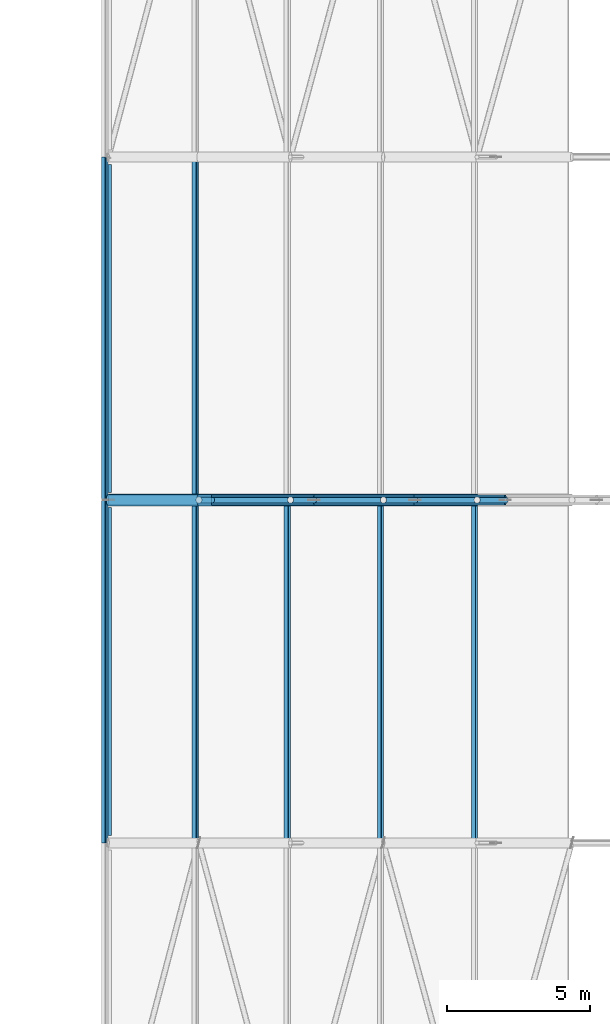
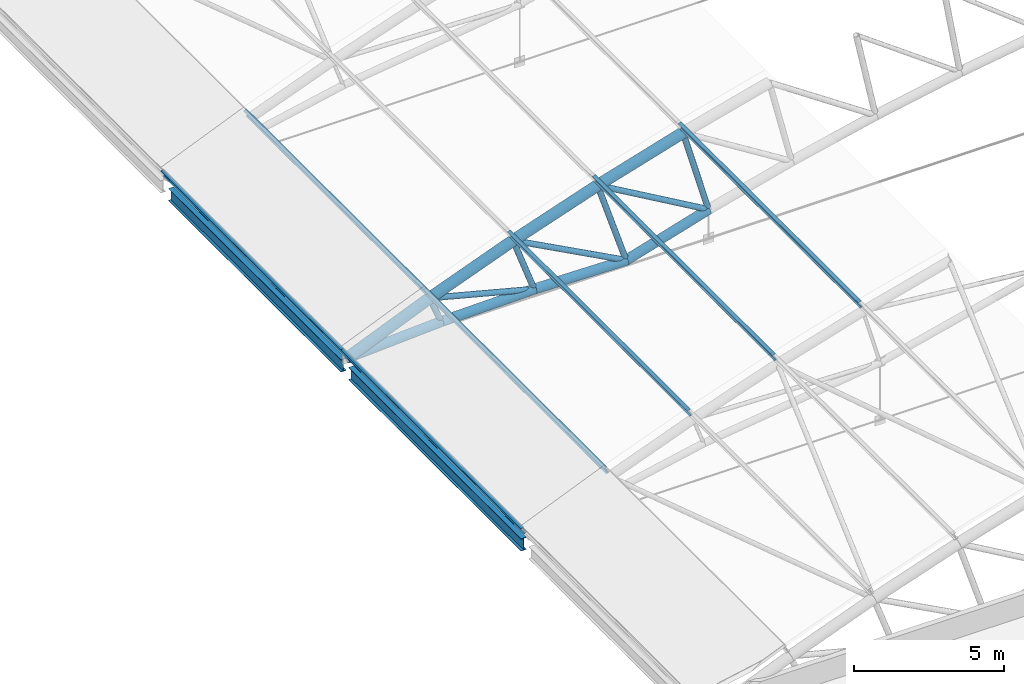
# One storey, part 26 of 321: 22 members, 2 beams.
"""IFC4 building model written with IfcOpenShell, lengths in metres."""

from ifc_helpers import new_model, si_unit, direction, frame, origin, origin_2d, place, context, subcontext, project, spatial, hollow_circle, i_section, extrude, material, material_profile, profile_set, type_object, element, save


model = new_model("IFC4")

# Units and contexts
model_context = context("Model", 3, precision=1e-05, world=origin(), true_north=direction((0.0, 1.0)))
body_context = subcontext(model_context, "Body", "Model", "MODEL_VIEW")
ifc_project = project(units=[si_unit("LENGTHUNIT", "METRE"), si_unit("AREAUNIT", "SQUARE_METRE"), si_unit("VOLUMEUNIT", "CUBIC_METRE"), si_unit("PLANEANGLEUNIT", "RADIAN"), si_unit("MASSUNIT", "GRAM", prefix="KILO")], contexts=[model_context])

# Site, building, storey
site_placement = place(None, origin())
site = spatial("IfcSite", under=ifc_project, at=site_placement, CompositionType="ELEMENT")
building_placement = place(site_placement, origin())
building = spatial("IfcBuilding", under=site, at=building_placement, Name="Ravi Spectrum Wholesale Market", CompositionType="ELEMENT")
storey_placement = place(building_placement, frame((0.0, 0.0, 10.800048828125)))
storey = spatial("IfcBuildingStorey", under=building, at=storey_placement, Name="L02", CompositionType="ELEMENT", Elevation=10.800048828125)

# Members
ifc_material_1 = material(Name="Steel S355", Category="steel")
ifc_material_profile_1 = material_profile(ifc_material_1, hollow_circle(Radius=0.109619140625, WallThickness=0.008056640625, at=origin_2d()))
ifc_profile_set_1 = profile_set([ifc_material_profile_1], Name="Steel S355")
member_type_1 = type_object("IfcMemberType", Name="CHS 219.1x8 brace", PredefinedType="BRACE", material=ifc_profile_set_1)
member_1_placement = place(storey_placement, frame((33.163818359375, 54.0, 1.325439453125), z_axis=(0.967942387937, 0.0, -0.251172318609), x_axis=(0.0, 1.0, 0.0)))
element("IfcMember", 1, at=member_1_placement, inside=storey, type_object=member_type_1, Name="H1-MB-L02-234", PredefinedType="BRACE", context=body_context, shape_type="SweptSolid", body=[
    extrude(hollow_circle(Radius=0.109619140625, WallThickness=0.008056640625, at=origin_2d()), origin(), (0.0, 0.0, 1.0), 4.15234375),
])
for number, where, z_axis, x_axis, name in (
    (2, (36.37158203125, 54.0, 2.541015625), (0.881933088563, 0.0, -0.471374614608), (0.0, 1.0, 0.0), "H1-MB-L02-235"),
    (3, (39.619384765625, 54.0, 3.645263671875), (0.865160555252, 0.0, -0.501494978675), (0.0, 1.0, 0.0), "H1-MB-L02-236"),
):
    element("IfcMember", number, at=place(storey_placement, frame(where, z_axis=z_axis, x_axis=x_axis)), inside=storey, type_object=member_type_1, Name=name, PredefinedType="BRACE", context=body_context, shape_type="SweptSolid", body=[
        extrude(hollow_circle(Radius=0.109619140625, WallThickness=0.008056640625, at=origin_2d()), origin(), (0.0, 0.0, 1.0), 4.9296875),
    ])
ifc_material_2 = material(Name="Steel S355", Category="steel")
ifc_material_profile_2 = material_profile(ifc_material_2, hollow_circle(Radius=0.109619140625, WallThickness=0.008056640625, at=origin_2d()))
ifc_profile_set_2 = profile_set([ifc_material_profile_2], Name="Steel S355")
member_type_2 = type_object("IfcMemberType", Name="CHS 219.1x8 post", PredefinedType="POST", material=ifc_profile_set_2)
member_2_placement = place(storey_placement, frame((33.163818359375, 54.0, 1.325439453125), z_axis=(0.370513497528, 0.0, -0.928827081942), x_axis=(0.0, 1.0, 0.0)))
element("IfcMember", 4, at=member_2_placement, inside=storey, type_object=member_type_2, Name="H1-MB-L02-211", PredefinedType="POST", context=body_context, shape_type="SweptSolid", body=[
    extrude(hollow_circle(Radius=0.109619140625, WallThickness=0.008056640625, at=origin_2d()), origin(), (0.0, 0.0, 1.0), 1.199951171875),
])
member_3_placement = place(storey_placement, frame((36.37158203125, 54.0, 2.541015625), z_axis=(0.338146640483, 0.0, -0.941093432944), x_axis=(0.0, 1.0, 0.0)))
element("IfcMember", 5, at=member_3_placement, inside=storey, type_object=member_type_2, Name="H1-MB-L02-212", PredefinedType="POST", context=body_context, shape_type="SweptSolid", body=[
    extrude(hollow_circle(Radius=0.109619140625, WallThickness=0.008056640625, at=origin_2d()), origin(), (0.0, 0.0, 1.0), 2.39990234375),
])
member_4_placement = place(storey_placement, frame((39.619384765625, 54.0, 3.645263671875), z_axis=(0.305506444581, 0.0, -0.952190008517), x_axis=(0.0, 1.0, 0.0)))
element("IfcMember", 6, at=member_4_placement, inside=storey, type_object=member_type_2, Name="H1-MB-L02-213", PredefinedType="POST", context=body_context, shape_type="SweptSolid", body=[
    extrude(hollow_circle(Radius=0.109619140625, WallThickness=0.008056640625, at=origin_2d()), origin(), (0.0, 0.0, 1.0), 3.60009765625),
])
member_5_placement = place(storey_placement, frame((42.903076171875, 54.0, 4.63671875), z_axis=(0.272561766134, 0.0, -0.962138287172), x_axis=(0.0, 1.0, 0.0)))
element("IfcMember", 7, at=member_5_placement, inside=storey, type_object=member_type_2, Name="H1-MB-L02-214", PredefinedType="POST", context=body_context, shape_type="SweptSolid", body=[
    extrude(hollow_circle(Radius=0.109619140625, WallThickness=0.008056640625, at=origin_2d()), origin(), (0.0, 0.0, 1.0), 3.599853515625),
])
ifc_material_3 = material(Name="Steel S355", Category="steel")
ifc_material_profile_3 = material_profile(ifc_material_3, hollow_circle(Radius=0.177734375, WallThickness=0.012451171875, at=origin_2d()))
ifc_profile_set_3 = profile_set([ifc_material_profile_3], Name="Steel S355")
member_type_3 = type_object("IfcMemberType", Name="CHS 355.6x12.5 chord", PredefinedType="CHORD", material=ifc_profile_set_3)
member_6_placement = place(storey_placement, frame((30.0, 54.0, 0.0), z_axis=(0.998295734367, 0.0, 0.058357747936), x_axis=(0.0, 1.0, 0.0)))
element("IfcMember", 8, at=member_6_placement, inside=storey, type_object=member_type_3, Name="H1-MB-L02-187", PredefinedType="CHORD", context=body_context, shape_type="SweptSolid", body=[
    extrude(hollow_circle(Radius=0.177734375, WallThickness=0.012451171875, at=origin_2d()), origin(), (0.0, 0.0, 1.0), 3.614501953125),
])
member_7_placement = place(storey_placement, frame((33.6083984375, 54.0, 0.2109375), z_axis=(0.999799841502, 0.0, 0.020006922112), x_axis=(0.0, 1.0, 0.0)))
element("IfcMember", 9, at=member_7_placement, inside=storey, type_object=member_type_3, Name="H1-MB-L02-188", PredefinedType="CHORD", context=body_context, shape_type="SweptSolid", body=[
    extrude(hollow_circle(Radius=0.177734375, WallThickness=0.012451171875, at=origin_2d()), origin(), (0.0, 0.0, 1.0), 3.575439453125),
])
member_8_placement = place(storey_placement, frame((37.18310546875, 54.0, 0.282470703125), z_axis=(0.999830134639, 0.0, -0.018431002896), x_axis=(0.0, 1.0, 0.0)))
element("IfcMember", 10, at=member_8_placement, inside=storey, type_object=member_type_3, Name="H1-MB-L02-189", PredefinedType="CHORD", context=body_context, shape_type="SweptSolid", body=[
    extrude(hollow_circle(Radius=0.177734375, WallThickness=0.012451171875, at=origin_2d()), origin(), (0.0, 0.0, 1.0), 3.53662109375),
])
member_9_placement = place(storey_placement, frame((40.71923828125, 54.0, 0.21728515625), z_axis=(0.957300337613, 0.0, 0.289095250058), x_axis=(0.0, 1.0, 0.0)))
element("IfcMember", 11, at=member_9_placement, inside=storey, type_object=member_type_3, Name="H1-MB-L02-190", PredefinedType="CHORD", context=body_context, shape_type="SweptSolid", body=[
    extrude(hollow_circle(Radius=0.177734375, WallThickness=0.012451171875, at=origin_2d()), origin(), (0.0, 0.0, 1.0), 3.30615234375),
])
ifc_material_4 = material(Name="Steel S355", Category="steel")
ifc_material_profile_4 = material_profile(ifc_material_4, hollow_circle(Radius=0.203125, WallThickness=0.01611328125, at=origin_2d()))
ifc_profile_set_4 = profile_set([ifc_material_profile_4], Name="Steel S355")
member_type_4 = type_object("IfcMemberType", Name="CHS 406.4x16 chord", PredefinedType="CHORD", material=ifc_profile_set_4)
member_10_placement = place(storey_placement, frame((30.0, 54.0, 0.0), z_axis=(0.922331882778, 0.0, 0.386398625789), x_axis=(0.0, 1.0, 0.0)))
element("IfcMember", 12, at=member_10_placement, inside=storey, type_object=member_type_4, Name="H1-MB-L02-163", PredefinedType="CHORD", context=body_context, shape_type="SweptSolid", body=[
    extrude(hollow_circle(Radius=0.203125, WallThickness=0.01611328125, at=origin_2d()), origin(), (0.0, 0.0, 1.0), 3.43017578125),
])
for number, where, z_axis, x_axis, name in (
    (13, (33.163818359375, 54.0, 1.325439453125), (0.935109783896, 0.0, 0.354358140956), (0.0, 1.0, 0.0), "H1-MB-L02-164"),
    (14, (36.37158203125, 54.0, 2.541015625), (0.946773178626, 0.0, 0.321901457335), (0.0, 1.0, 0.0), "H1-MB-L02-165"),
):
    element("IfcMember", number, at=place(storey_placement, frame(where, z_axis=z_axis, x_axis=x_axis)), inside=storey, type_object=member_type_4, Name=name, PredefinedType="CHORD", context=body_context, shape_type="SweptSolid", body=[
        extrude(hollow_circle(Radius=0.203125, WallThickness=0.01611328125, at=origin_2d()), origin(), (0.0, 0.0, 1.0), 3.430419921875),
    ])
member_11_placement = place(storey_placement, frame((39.619384765625, 54.0, 3.645263671875), z_axis=(0.957315448633, 0.0, 0.289045207204), x_axis=(0.0, 1.0, 0.0)))
element("IfcMember", 15, at=member_11_placement, inside=storey, type_object=member_type_4, Name="H1-MB-L02-166", PredefinedType="CHORD", context=body_context, shape_type="SweptSolid", body=[
    extrude(hollow_circle(Radius=0.203125, WallThickness=0.01611328125, at=origin_2d()), origin(), (0.0, 0.0, 1.0), 3.43017578125),
])
ifc_material_5 = material(Name="Steel S355", Category="steel")
ifc_material_profile_5 = material_profile(ifc_material_5, i_section(OverallWidth=0.135009765625, OverallDepth=0.27001953125, WebThickness=0.006591796875, FlangeThickness=0.01025390625, at=origin_2d()))
ifc_profile_set_5 = profile_set([ifc_material_profile_5], Name="Steel S355")
member_type_5 = type_object("IfcMemberType", Name="IPE 270 purlin", PredefinedType="PURLIN", material=ifc_profile_set_5)
for number, where, z_axis, x_axis, name in (
    (16, (29.864013671875, 42.0, 0.3095703125), (0.0, 1.0, 0.0), (-0.915525334521, 0.0, -0.402260316027), "H1-MB-L02-1259"),
    (17, (33.03857421875, 42.0, 1.6396484375), (0.0, 1.0, 0.0), (-0.928855283584, 0.0, -0.370442792017), "H1-MB-L02-1260"),
    (18, (36.25732421875, 42.0, 2.859375), (0.0, 1.0, 0.0), (-0.941079849597, 0.0, -0.338184441811), "H1-MB-L02-1261"),
    (19, (39.515869140625, 42.0, 3.96728515625), (0.0, 1.0, 0.0), (-0.952184497174, 0.0, -0.305523621577), "H1-MB-L02-1262"),
    (20, (42.81103515625, 42.0, 4.962158203125), (0.0, 1.0, 0.0), (-0.96215600485, 0.0, -0.272499215286), "H1-MB-L02-1263"),
    (21, (29.864013671875, 54.0, 0.3095703125), (0.0, 1.0, 0.0), (-0.915525334521, 0.0, -0.402260316027), "H1-MB-L02-1284"),
    (22, (33.03857421875, 54.0, 1.6396484375), (0.0, 1.0, 0.0), (-0.928855283584, 0.0, -0.370442792017), "H1-MB-L02-1285"),
):
    element("IfcMember", number, at=place(storey_placement, frame(where, z_axis=z_axis, x_axis=x_axis)), inside=storey, type_object=member_type_5, Name=name, PredefinedType="PURLIN", context=body_context, shape_type="SweptSolid", body=[
        extrude(i_section(OverallWidth=0.135009765625, OverallDepth=0.27001953125, WebThickness=0.006591796875, FlangeThickness=0.01025390625, at=origin_2d()), origin(), (0.0, 0.0, 1.0), 12.0),
    ])

# Beams
ifc_material_6 = material(Name="Steel S355", Category="steel")
ifc_material_profile_6 = material_profile(ifc_material_6, i_section(OverallWidth=0.199951171875, OverallDepth=0.5, WebThickness=0.01025390625, FlangeThickness=0.01611328125, at=origin_2d()))
ifc_profile_set_6 = profile_set([ifc_material_profile_6], Name="Steel S355")
beam_type = type_object("IfcBeamType", Name="IPE 500 girder", PredefinedType="BEAM", material=ifc_profile_set_6)
for number, where, z_axis, x_axis, name in (
    (23, (30.0, 42.25390625, -0.449951171875), (0.0, 1.0, 0.0), (-1.0, 0.0, 0.0), "H1-BM-L02-002"),
    (24, (30.0, 54.25390625, -0.449951171875), (0.0, 1.0, 0.0), (-1.0, 0.0, 0.0), "H1-BM-L02-003"),
):
    element("IfcBeam", number, at=place(storey_placement, frame(where, z_axis=z_axis, x_axis=x_axis)), inside=storey, type_object=beam_type, Name=name, PredefinedType="BEAM", context=body_context, shape_type="SweptSolid", body=[
        extrude(i_section(OverallWidth=0.199951171875, OverallDepth=0.5, WebThickness=0.01025390625, FlangeThickness=0.01611328125, at=origin_2d()), origin(), (0.0, 0.0, 1.0), 11.4921875),
    ])

save(model, "model.ifc")
